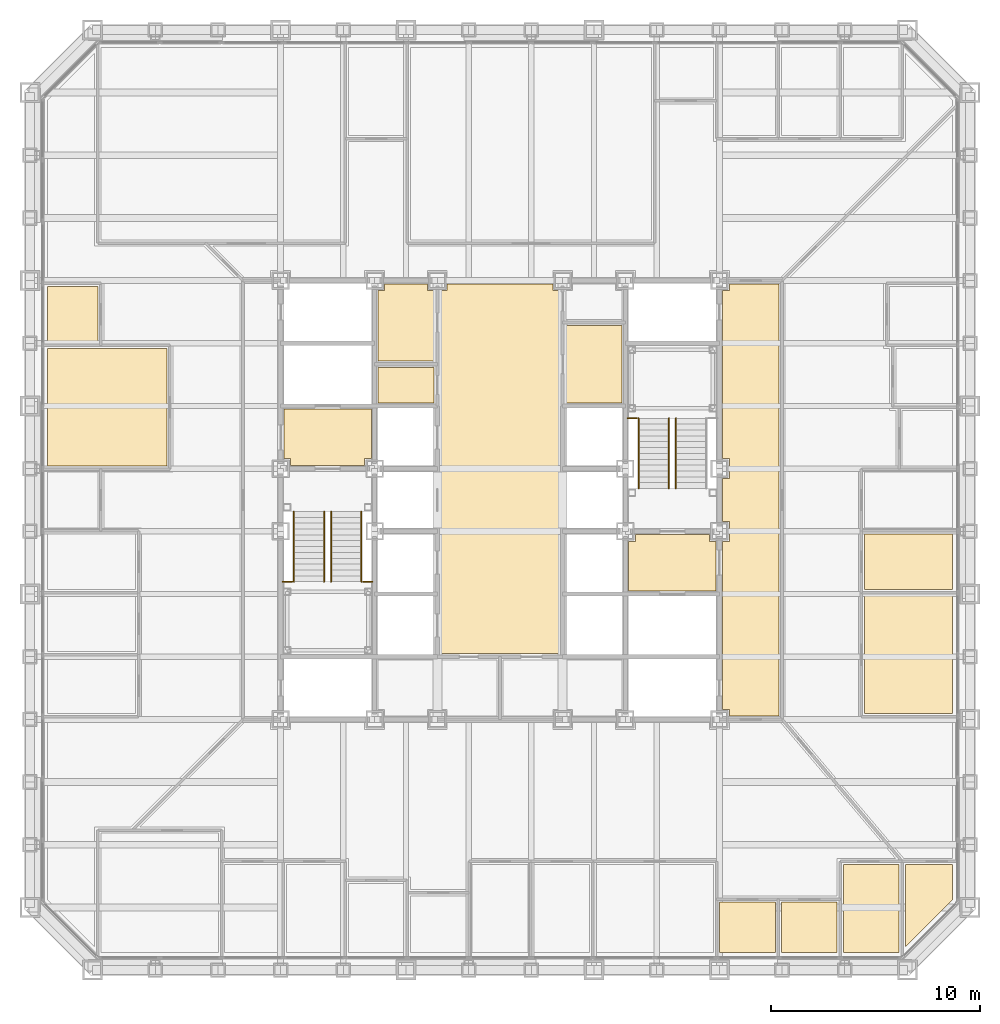
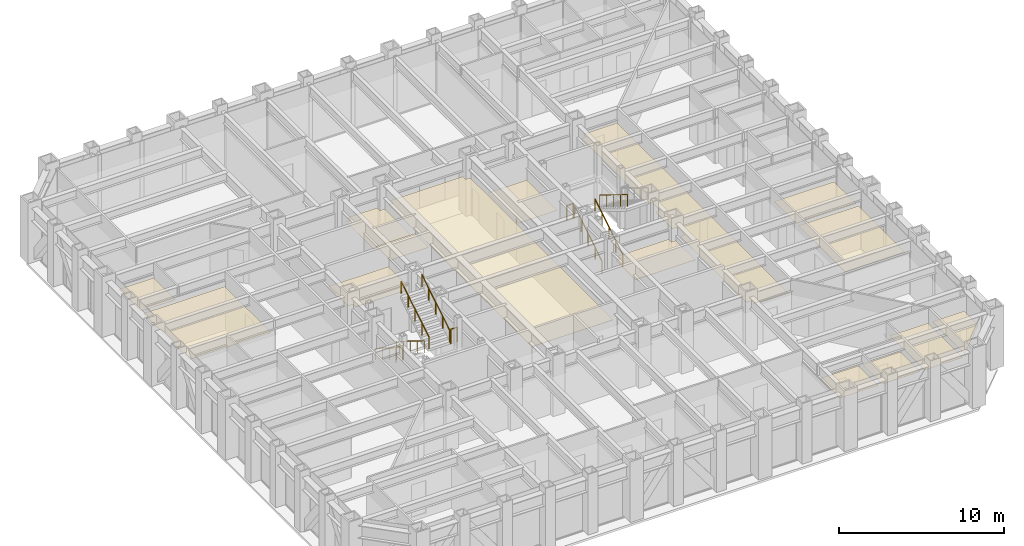
# One storey, part 15 of 16: 15 coverings, 10 railings.
"""IFC4 building model written with IfcOpenShell, lengths in metres."""

from ifc_helpers import new_model, si_unit, direction, frame, origin, origin_2d, place, context, subcontext, project, spatial, polyline, circle, outline, extrude, material, layer, layer_set, type_object, element, save


model = new_model("IFC4")

# Units and contexts
model_context = context("Model", 3, precision=1e-05, world=origin(), true_north=direction((0.0, 1.0)))
body_context = subcontext(model_context, "Body", "Model", "MODEL_VIEW")
ifc_project = project(units=[si_unit("LENGTHUNIT", "METRE"), si_unit("AREAUNIT", "SQUARE_METRE"), si_unit("VOLUMEUNIT", "CUBIC_METRE"), si_unit("PLANEANGLEUNIT", "RADIAN"), si_unit("MASSUNIT", "GRAM", prefix="KILO")], contexts=[model_context])

# Site, building, storey
site_placement = place(None, origin())
site = spatial("IfcSite", under=ifc_project, at=site_placement, CompositionType="ELEMENT")
building_placement = place(site_placement, origin())
building = spatial("IfcBuilding", under=site, at=building_placement, Name="Chuquiago Exchange Tower", CompositionType="ELEMENT")
storey_placement = place(building_placement, frame((0.0, 0.0, 28.800048828125)))
storey = spatial("IfcBuildingStorey", under=building, at=storey_placement, Name="L05", CompositionType="ELEMENT", Elevation=28.800048828125)

# Coverings
ifc_material_1 = material(Name="Mineral fibre tile, 600 x 600, on pale metal grid", Category="mineral fibre")
ifc_layer_1 = layer(ifc_material_1, 0.02001953125)
ifc_layer_set_1 = layer_set([ifc_layer_1], Name="CL1 suspended tile ceiling 20")
covering_type_1 = type_object("IfcCoveringType", Name="CL1 suspended tile ceiling 20", PredefinedType="CEILING", material=ifc_layer_set_1)
covering_1_placement = place(storey_placement, frame((0.0, 0.0, 3.0)))
element("IfcCovering", 1, at=covering_1_placement, inside=storey, type_object=covering_type_1, Name="Ceiling Focus room", PredefinedType="CEILING", context=body_context, shape_type="SweptSolid", body=[
    extrude(outline(polyline([(33.01611328125, 3.25), (35.677978515625, 3.25), (35.677978515625, 0.85009765625), (33.01611328125, 0.85009765625), (33.01611328125, 3.25)])), origin(), (0.0, 0.0, 1.0), 0.02001953125),
])
covering_2_placement = place(storey_placement, frame((0.0, 0.0, 3.0)))
element("IfcCovering", 2, at=covering_2_placement, inside=storey, type_object=covering_type_1, Name="Ceiling Focus room", PredefinedType="CEILING", context=body_context, shape_type="SweptSolid", body=[
    extrude(outline(polyline([(35.977783203125, 3.25), (38.6396484375, 3.25), (38.6396484375, 0.85009765625), (35.977783203125, 0.85009765625), (35.977783203125, 3.25)])), origin(), (0.0, 0.0, 1.0), 0.02001953125),
])
covering_3_placement = place(storey_placement, frame((0.0, 0.0, 3.0)))
element("IfcCovering", 3, at=covering_3_placement, inside=storey, type_object=covering_type_1, Name="Ceiling Office", PredefinedType="CEILING", context=body_context, shape_type="SweptSolid", body=[
    extrude(outline(polyline([(38.939697265625, 0.85009765625), (38.939697265625, 5.050048828125), (41.6015625, 5.050048828125), (41.6015625, 0.85009765625), (38.939697265625, 0.85009765625)])), origin(), (0.0, 0.0, 1.0), 0.02001953125),
])
covering_4_placement = place(storey_placement, frame((0.0, 0.0, 3.0)))
element("IfcCovering", 4, at=covering_4_placement, inside=storey, type_object=covering_type_1, Name="Ceiling Office", PredefinedType="CEILING", context=body_context, shape_type="SweptSolid", body=[
    extrude(outline(polyline([(41.901611328125, 1.103515625), (41.901611328125, 5.050048828125), (44.14990234375, 5.050048828125), (44.14990234375, 3.35205078125), (41.901611328125, 1.103515625)])), origin(), (0.0, 0.0, 1.0), 0.02001953125),
])
covering_5_placement = place(storey_placement, frame((0.0, 0.0, 3.0)))
element("IfcCovering", 5, at=covering_5_placement, inside=storey, type_object=covering_type_1, Name="Ceiling Meeting room", PredefinedType="CEILING", context=body_context, shape_type="SweptSolid", body=[
    extrude(outline(polyline([(39.949951171875, 12.28369140625), (39.949951171875, 17.907470703125), (44.14990234375, 17.907470703125), (44.14990234375, 12.28369140625), (39.949951171875, 12.28369140625)])), origin(), (0.0, 0.0, 1.0), 0.02001953125),
])
covering_6_placement = place(storey_placement, frame((0.0, 0.0, 3.0)))
element("IfcCovering", 6, at=covering_6_placement, inside=storey, type_object=covering_type_1, Name="Ceiling Office", PredefinedType="CEILING", context=body_context, shape_type="SweptSolid", body=[
    extrude(outline(polyline([(39.949951171875, 18.20751953125), (39.949951171875, 20.869140625), (44.14990234375, 20.869140625), (44.14990234375, 18.20751953125), (39.949951171875, 18.20751953125)])), origin(), (0.0, 0.0, 1.0), 0.02001953125),
])
covering_7_placement = place(storey_placement, frame((0.0, 0.0, 3.0)))
element("IfcCovering", 7, at=covering_7_placement, inside=storey, type_object=covering_type_1, Name="Ceiling Risk management office", PredefinedType="CEILING", context=body_context, shape_type="SweptSolid", body=[
    extrude(outline(polyline([(6.550048828125, 29.75439453125), (6.550048828125, 24.130859375), (0.85009765625, 24.130859375), (0.85009765625, 29.75439453125), (6.550048828125, 29.75439453125)])), origin(), (0.0, 0.0, 1.0), 0.02001953125),
])
covering_8_placement = place(storey_placement, frame((0.0, 0.0, 3.0)))
element("IfcCovering", 8, at=covering_8_placement, inside=storey, type_object=covering_type_1, Name="Ceiling Focus room", PredefinedType="CEILING", context=body_context, shape_type="SweptSolid", body=[
    extrude(outline(polyline([(3.25, 32.71630859375), (3.25, 30.054443359375), (0.85009765625, 30.054443359375), (0.85009765625, 32.71630859375), (3.25, 32.71630859375)])), origin(), (0.0, 0.0, 1.0), 0.02001953125),
])
covering_9_placement = place(storey_placement, frame((0.0, 0.0, 3.0)))
element("IfcCovering", 9, at=covering_9_placement, inside=storey, type_object=covering_type_1, Name="Ceiling Circulation corridor", PredefinedType="CEILING", context=body_context, shape_type="SweptSolid", body=[
    extrude(outline(polyline([(35.85009765625, 32.85009765625), (35.85009765625, 12.14990234375), (33.47509765625, 12.14990234375), (33.47509765625, 12.47509765625), (33.14990234375, 12.47509765625), (33.14990234375, 20.52490234375), (33.47509765625, 20.52490234375), (33.47509765625, 21.47509765625), (33.14990234375, 21.47509765625), (33.14990234375, 23.52490234375), (33.47509765625, 23.52490234375), (33.47509765625, 24.47509765625), (33.14990234375, 24.47509765625), (33.14990234375, 32.52490234375), (33.47509765625, 32.52490234375), (33.47509765625, 32.85009765625), (35.85009765625, 32.85009765625)])), origin(), (0.0, 0.0, 1.0), 0.02001953125),
])
covering_10_placement = place(storey_placement, frame((0.0, 0.0, 3.0)))
element("IfcCovering", 10, at=covering_10_placement, inside=storey, type_object=covering_type_1, Name="Ceiling First aid room", PredefinedType="CEILING", context=body_context, shape_type="SweptSolid", body=[
    extrude(outline(polyline([(16.64990234375, 27.14990234375), (16.64990234375, 28.85009765625), (19.35009765625, 28.85009765625), (19.35009765625, 27.14990234375), (16.64990234375, 27.14990234375)])), origin(), (0.0, 0.0, 1.0), 0.02001953125),
])
ifc_material_2 = material(Name="Moisture resistant plasterboard on metal frame", Category="gypsum")
ifc_layer_2 = layer(ifc_material_2, 0.014892578125)
ifc_layer_set_2 = layer_set([ifc_layer_2], Name="CL2 moisture resistant ceiling 15")
covering_type_2 = type_object("IfcCoveringType", Name="CL2 moisture resistant ceiling 15", PredefinedType="CEILING", material=ifc_layer_set_2)
covering_11_placement = place(storey_placement, frame((0.0, 0.0, 2.599853515625)))
element("IfcCovering", 11, at=covering_11_placement, inside=storey, type_object=covering_type_2, Name="Ceiling Male WC", PredefinedType="CEILING", context=body_context, shape_type="SweptSolid", body=[
    extrude(outline(polyline([(16.64990234375, 29.14990234375), (16.64990234375, 32.52490234375), (16.97509765625, 32.52490234375), (16.97509765625, 32.85009765625), (19.02490234375, 32.85009765625), (19.02490234375, 32.52490234375), (19.35009765625, 32.52490234375), (19.35009765625, 29.14990234375), (16.64990234375, 29.14990234375)])), origin(), (0.0, 0.0, 1.0), 0.01513671875),
])
covering_12_placement = place(storey_placement, frame((0.0, 0.0, 2.599853515625)))
element("IfcCovering", 12, at=covering_12_placement, inside=storey, type_object=covering_type_2, Name="Ceiling Female WC", PredefinedType="CEILING", context=body_context, shape_type="SweptSolid", body=[
    extrude(outline(polyline([(25.64990234375, 27.14990234375), (25.64990234375, 30.85009765625), (28.35009765625, 30.85009765625), (28.35009765625, 27.14990234375), (25.64990234375, 27.14990234375)])), origin(), (0.0, 0.0, 1.0), 0.01513671875),
])
ifc_material_3 = material(Name="Pale metal plank ceiling, perforated", Category="aluminium")
ifc_layer_3 = layer(ifc_material_3, 0.030029296875)
ifc_layer_set_3 = layer_set([ifc_layer_3], Name="CL3 metal plank ceiling 30")
covering_type_3 = type_object("IfcCoveringType", Name="CL3 metal plank ceiling 30", PredefinedType="CEILING", material=ifc_layer_set_3)
covering_13_placement = place(storey_placement, frame((0.0, 0.0, 2.800048828125)))
element("IfcCovering", 13, at=covering_13_placement, inside=storey, type_object=covering_type_3, Name="Ceiling Lift lobby", PredefinedType="CEILING", context=body_context, shape_type="SweptSolid", body=[
    extrude(outline(polyline([(19.64990234375, 15.14990234375), (19.64990234375, 32.52490234375), (19.97509765625, 32.52490234375), (19.97509765625, 32.85009765625), (25.02490234375, 32.85009765625), (25.02490234375, 32.52490234375), (25.35009765625, 32.52490234375), (25.35009765625, 15.14990234375), (19.64990234375, 15.14990234375)])), origin(), (0.0, 0.0, 1.0), 0.02978515625),
])
covering_14_placement = place(storey_placement, frame((0.0, 0.0, 2.800048828125)))
element("IfcCovering", 14, at=covering_14_placement, inside=storey, type_object=covering_type_3, Name="Ceiling Firefighting lobby", PredefinedType="CEILING", context=body_context, shape_type="SweptSolid", body=[
    extrude(outline(polyline([(12.47509765625, 24.14990234375), (12.47509765625, 24.47509765625), (12.14990234375, 24.47509765625), (12.14990234375, 26.85009765625), (16.35009765625, 26.85009765625), (16.35009765625, 24.47509765625), (16.02490234375, 24.47509765625), (16.02490234375, 24.14990234375), (12.47509765625, 24.14990234375)])), origin(), (0.0, 0.0, 1.0), 0.02978515625),
])
covering_15_placement = place(storey_placement, frame((0.0, 0.0, 2.800048828125)))
element("IfcCovering", 15, at=covering_15_placement, inside=storey, type_object=covering_type_3, Name="Ceiling Firefighting lobby", PredefinedType="CEILING", context=body_context, shape_type="SweptSolid", body=[
    extrude(outline(polyline([(28.64990234375, 18.14990234375), (28.64990234375, 20.52490234375), (28.97509765625, 20.52490234375), (28.97509765625, 20.85009765625), (32.52490234375, 20.85009765625), (32.52490234375, 20.52490234375), (32.85009765625, 20.52490234375), (32.85009765625, 18.14990234375), (28.64990234375, 18.14990234375)])), origin(), (0.0, 0.0, 1.0), 0.02978515625),
])

# Railings
ifc_material_4 = material(Name="Pale metal guard with safety glass infill", Category="glass")
railing_type_1 = type_object("IfcRailingType", Name="GR1 guard 1100", PredefinedType="GUARDRAIL", material=ifc_material_4)
for number, where, name in (
    (16, (12.10009765625, 18.590087890625, 2.25), "Guard ST1 L05 landing 2"),
    (17, (15.945068359375, 18.590087890625, 2.25), "Guard ST1 L05 landing 2"),
    (18, (28.60009765625, 26.409912109375, 2.25), "Guard ST2 L05 landing 2"),
):
    element("IfcRailing", number, at=place(storey_placement, frame(where)), inside=storey, type_object=railing_type_1, Name=name, PredefinedType="GUARDRAIL", context=body_context, shape_type="SweptSolid", body=[
        extrude(circle(Radius=0.02392578125, at=origin_2d()), frame((0.0, 0.0, 1.076171875), z_axis=(1.0, 0.0, 0.0), x_axis=(0.0, 1.0, 0.0)), (0.0, 0.0, 1.0), 0.454833984375),
        extrude(circle(Radius=0.02099609375, at=origin_2d()), origin(), (0.0, 0.0, 1.0), 1.052001953125),
        extrude(circle(Radius=0.02099609375, at=origin_2d()), frame((0.454833984375, 0.0, 0.0)), (0.0, 0.0, 1.0), 1.052001953125),
    ])
ifc_material_5 = material(Name="Pale metal handrail", Category="steel")
railing_type_2 = type_object("IfcRailingType", Name="HR1 handrail 900", PredefinedType="HANDRAIL", material=ifc_material_5)
for number, where, name in (
    (19, (12.635009765625, 21.949951171875, 0.173095703125), "Handrail ST1 L05 flight 1"),
    (20, (14.0849609375, 21.949951171875, 0.173095703125), "Handrail ST1 L05 flight 1"),
):
    element("IfcRailing", number, at=place(storey_placement, frame(where)), inside=storey, type_object=railing_type_2, Name=name, PredefinedType="HANDRAIL", context=body_context, shape_type="SweptSolid", body=[
        extrude(circle(Radius=0.02392578125, at=origin_2d()), frame((0.0, 0.0, 0.8759765625), z_axis=(0.0, -0.850606129759, 0.525803396734), x_axis=(1.0, 0.0, 0.0)), (0.0, 0.0, 1.0), 3.949951171875),
        extrude(circle(Radius=0.02099609375, at=origin_2d()), origin(), (0.0, 0.0, 1.0), 0.851806640625),
        extrude(circle(Radius=0.02099609375, at=origin_2d()), frame((0.0, -0.83984375, 0.519287109375)), (0.0, 0.0, 1.0), 0.851806640625),
        extrude(circle(Radius=0.02099609375, at=origin_2d()), frame((0.0, -1.679931640625, 1.03857421875)), (0.0, 0.0, 1.0), 0.851806640625),
        extrude(circle(Radius=0.02099609375, at=origin_2d()), frame((0.0, -2.52001953125, 1.5576171875)), (0.0, 0.0, 1.0), 0.851806640625),
        extrude(circle(Radius=0.02099609375, at=origin_2d()), frame((0.0, -3.35986328125, 2.076904296875)), (0.0, 0.0, 1.0), 0.851806640625),
    ])
for number, where, name in (
    (21, (15.864990234375, 18.590087890625, 2.423095703125), "Handrail ST1 L05 flight 2"),
    (22, (14.4150390625, 18.590087890625, 2.423095703125), "Handrail ST1 L05 flight 2"),
    (23, (30.5849609375, 23.050048828125, 0.173095703125), "Handrail ST2 L05 flight 1"),
    (24, (29.135009765625, 23.050048828125, 0.173095703125), "Handrail ST2 L05 flight 1"),
):
    element("IfcRailing", number, at=place(storey_placement, frame(where)), inside=storey, type_object=railing_type_2, Name=name, PredefinedType="HANDRAIL", context=body_context, shape_type="SweptSolid", body=[
        extrude(circle(Radius=0.02392578125, at=origin_2d()), frame((0.0, 0.0, 0.8759765625), z_axis=(0.0, 0.850606129759, 0.525803396734), x_axis=(-1.0, 0.0, 0.0)), (0.0, 0.0, 1.0), 3.949951171875),
        extrude(circle(Radius=0.02099609375, at=origin_2d()), origin(), (0.0, 0.0, 1.0), 0.851806640625),
        extrude(circle(Radius=0.02099609375, at=origin_2d()), frame((0.0, 0.83984375, 0.519287109375)), (0.0, 0.0, 1.0), 0.851806640625),
        extrude(circle(Radius=0.02099609375, at=origin_2d()), frame((0.0, 1.679931640625, 1.03857421875)), (0.0, 0.0, 1.0), 0.851806640625),
        extrude(circle(Radius=0.02099609375, at=origin_2d()), frame((0.0, 2.52001953125, 1.5576171875)), (0.0, 0.0, 1.0), 0.851806640625),
        extrude(circle(Radius=0.02099609375, at=origin_2d()), frame((0.0, 3.35986328125, 2.076904296875)), (0.0, 0.0, 1.0), 0.851806640625),
    ])
railing_placement = place(storey_placement, frame((30.9150390625, 26.409912109375, 2.423095703125)))
element("IfcRailing", 25, at=railing_placement, inside=storey, type_object=railing_type_2, Name="Handrail ST2 L05 flight 2", PredefinedType="HANDRAIL", context=body_context, shape_type="SweptSolid", body=[
    extrude(circle(Radius=0.02392578125, at=origin_2d()), frame((0.0, 0.0, 0.8759765625), z_axis=(0.0, -0.850606129759, 0.525803396734), x_axis=(1.0, 0.0, 0.0)), (0.0, 0.0, 1.0), 3.949951171875),
    extrude(circle(Radius=0.02099609375, at=origin_2d()), origin(), (0.0, 0.0, 1.0), 0.851806640625),
    extrude(circle(Radius=0.02099609375, at=origin_2d()), frame((0.0, -0.83984375, 0.519287109375)), (0.0, 0.0, 1.0), 0.851806640625),
    extrude(circle(Radius=0.02099609375, at=origin_2d()), frame((0.0, -1.679931640625, 1.03857421875)), (0.0, 0.0, 1.0), 0.851806640625),
    extrude(circle(Radius=0.02099609375, at=origin_2d()), frame((0.0, -2.52001953125, 1.5576171875)), (0.0, 0.0, 1.0), 0.851806640625),
    extrude(circle(Radius=0.02099609375, at=origin_2d()), frame((0.0, -3.35986328125, 2.076904296875)), (0.0, 0.0, 1.0), 0.851806640625),
])

save(model, "model.ifc")
